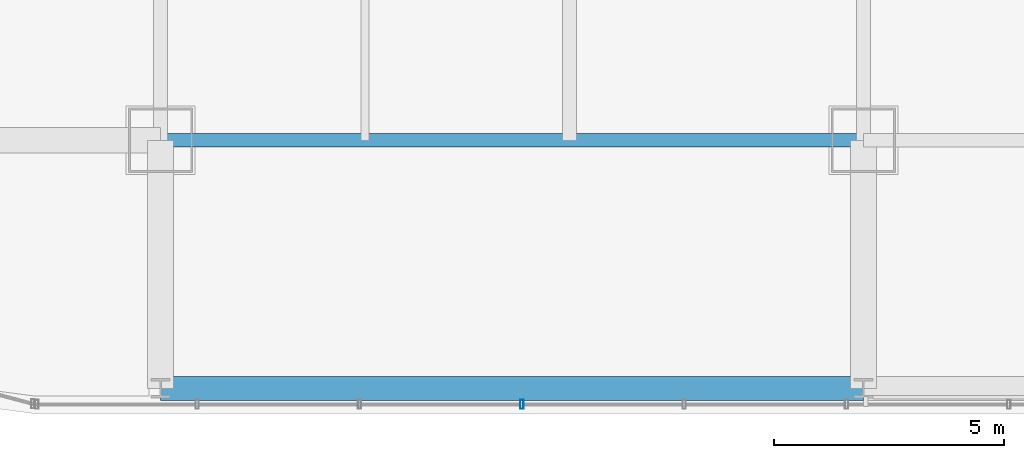
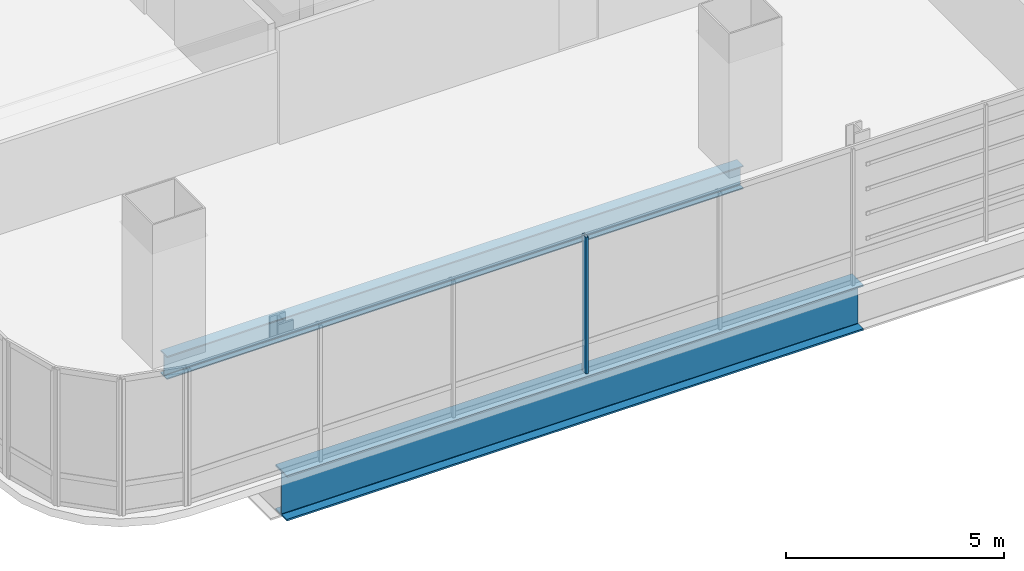
# One storey, part 3 of 36: 2 beams, 1 member, 1 element without a shape of its own.
"""IFC4 building model written with IfcOpenShell, lengths in metres."""

from ifc_helpers import new_model, si_unit, direction, frame, origin, origin_2d, place, context, subcontext, project, spatial, hollow_rectangle, i_section, extrude, material, material_profile, profile_set, type_object, element, aggregate, save


model = new_model("IFC4")

# Units and contexts
model_context = context("Model", 3, precision=1e-05, world=origin(), true_north=direction((0.0, 1.0)))
body_context = subcontext(model_context, "Body", "Model", "MODEL_VIEW")
ifc_project = project(units=[si_unit("LENGTHUNIT", "METRE"), si_unit("AREAUNIT", "SQUARE_METRE"), si_unit("VOLUMEUNIT", "CUBIC_METRE"), si_unit("PLANEANGLEUNIT", "RADIAN"), si_unit("MASSUNIT", "GRAM", prefix="KILO")], contexts=[model_context])

# Site, building, storey
site_placement = place(None, origin())
site = spatial("IfcSite", under=ifc_project, at=site_placement, CompositionType="ELEMENT")
building_placement = place(site_placement, origin())
building = spatial("IfcBuilding", under=site, at=building_placement, Name="Punatoya Terracotta Tower", CompositionType="ELEMENT")
storey_placement = place(building_placement, frame((0.0, 0.0, 176.25)))
storey = spatial("IfcBuildingStorey", under=building, at=storey_placement, Name="L41", CompositionType="ELEMENT", Elevation=176.25)

# Beams
ifc_material_1 = material(Name="Steel S355", Category="steel")
ifc_material_profile_1 = material_profile(ifc_material_1, i_section(OverallWidth=0.300048828125, OverallDepth=0.64990234375, WebThickness=0.01611328125, FlangeThickness=0.031005859375, FilletRadius=0.01806640625, at=origin_2d()))
ifc_profile_set_1 = profile_set([ifc_material_profile_1], Name="Steel S355")
beam_type_1 = type_object("IfcBeamType", Name="BM-PRI-650", PredefinedType="BEAM", material=ifc_profile_set_1)
beam_1_placement = place(storey_placement, frame((-19.10009765625, -17.5, -0.544921875), z_axis=(1.0, 0.0, 0.0), x_axis=(0.0, 1.0, 0.0)))
element("IfcBeam", 1, at=beam_1_placement, inside=storey, type_object=beam_type_1, Name="BM-L41-RG-S1", PredefinedType="BEAM", context=body_context, shape_type="SweptSolid", body=[
    extrude(i_section(OverallWidth=0.300048828125, OverallDepth=0.64990234375, WebThickness=0.01611328125, FlangeThickness=0.031005859375, FilletRadius=0.01806640625, at=origin_2d()), origin(), (0.0, 0.0, 1.0), 15.300048828125),
])
ifc_material_2 = material(Name="Steel S460", Category="steel")
ifc_material_profile_2 = material_profile(ifc_material_2, i_section(OverallWidth=0.52001953125, OverallDepth=1.280029296875, WebThickness=0.031982421875, FlangeThickness=0.050048828125, FilletRadius=0.01806640625, at=origin_2d()))
ifc_profile_set_2 = profile_set([ifc_material_profile_2], Name="Steel S460")
beam_type_2 = type_object("IfcBeamType", Name="BM-TG-NCK", PredefinedType="BEAM", material=ifc_profile_set_2)
beam_2_placement = place(storey_placement, frame((-19.10009765625, -22.89990234375, -0.860107421875), z_axis=(1.0, 0.0, 0.0), x_axis=(0.0, 1.0, 0.0)))
element("IfcBeam", 2, at=beam_2_placement, inside=storey, type_object=beam_type_2, Name="BM-L41-PER-S1", PredefinedType="BEAM", context=body_context, shape_type="SweptSolid", body=[
    extrude(i_section(OverallWidth=0.52001953125, OverallDepth=1.280029296875, WebThickness=0.031982421875, FlangeThickness=0.050048828125, FilletRadius=0.01806640625, at=origin_2d()), origin(), (0.0, 0.0, 1.0), 15.300048828125),
])

# Curtain wall, member
ifc_material_3 = material(Name="Aluminium 6063-T6 + Double Low-E Glass", Category="aluminium")
curtain_wall_type = type_object("IfcCurtainWallType", Name="CW-M2", PredefinedType="NOTDEFINED", material=ifc_material_3)
curtain_wall_placement = place(storey_placement, origin())
curtain_wall = element("IfcCurtainWall", 3, at=curtain_wall_placement, inside=storey, type_object=curtain_wall_type, Name="L41 Curtain Wall CW-L41-S01-1", PredefinedType="NOTDEFINED")
ifc_material_4 = material(Name="Aluminium 6063-T6", Category="aluminium")
ifc_material_profile_3 = material_profile(ifc_material_4, hollow_rectangle(XDim=0.072021484375, YDim=0.195068359375, WallThickness=0.00439453125, at=origin_2d()))
ifc_profile_set_3 = profile_set([ifc_material_profile_3], Name="Aluminium 6063-T6")
member_type = type_object("IfcMemberType", Name="CW-MUL-M2", PredefinedType="MULLION", material=ifc_profile_set_3)
member_placement = place(storey_placement, frame((-11.235107421875, -23.25, 0.0), z_axis=(0.0, 0.0, 1.0), x_axis=(1.0, 0.0, 0.0)))
member = element("IfcMember", 4, at=member_placement, type_object=member_type, Name="CW-L41-S01-1 Mullion 03", PredefinedType="MULLION", context=body_context, shape_type="SweptSolid", body=[
    extrude(hollow_rectangle(XDim=0.072021484375, YDim=0.195068359375, WallThickness=0.00439453125, at=origin_2d()), origin(), (0.0, 0.0, 1.0), 3.830078125),
])
aggregate(curtain_wall, [member])

save(model, "model.ifc")
